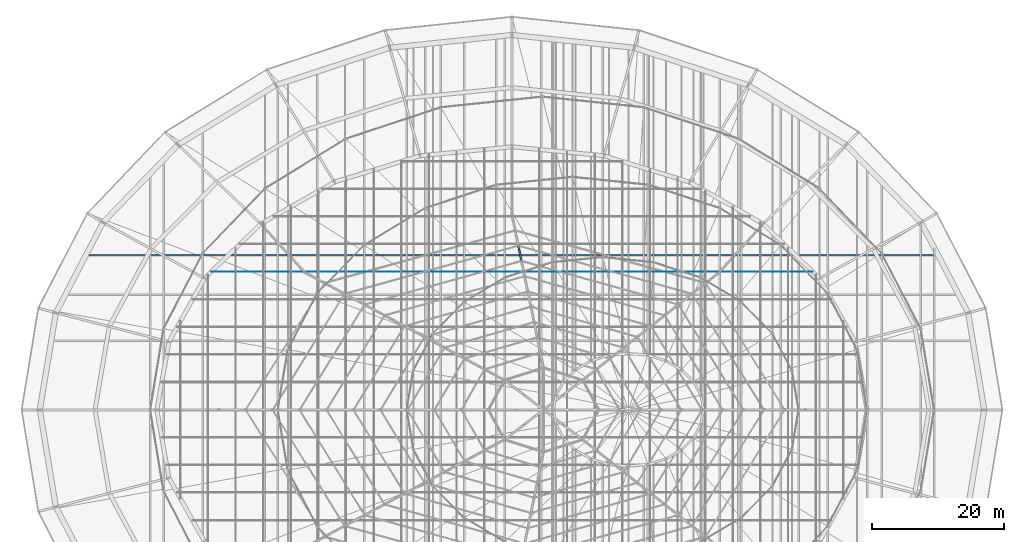
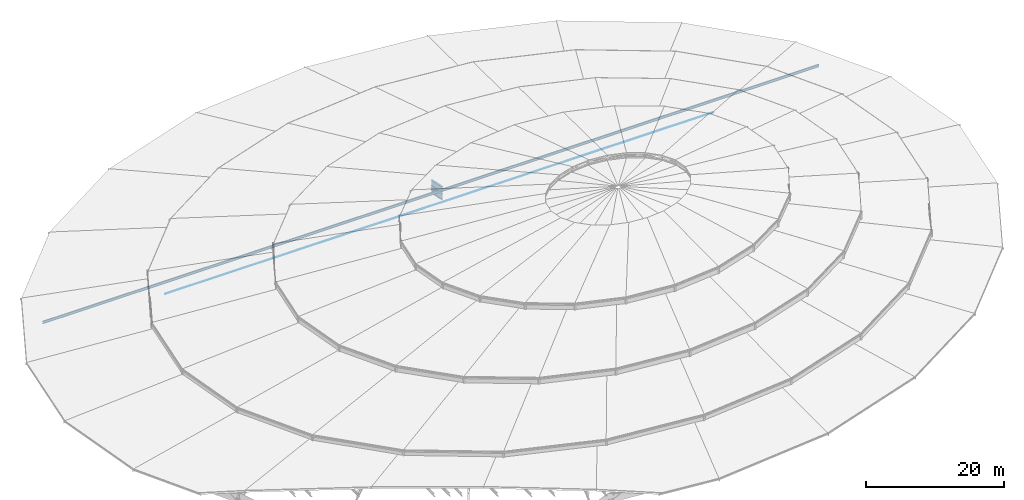
# One storey, part 111 of 184: 3 members, 2 beams.
"""IFC4 building model written with IfcOpenShell, lengths in metres."""

from ifc_helpers import new_model, si_unit, direction, frame, origin, origin_2d, place, context, subcontext, project, spatial, hollow_rectangle, circle, i_section, extrude, material, material_profile, profile_set, type_object, element, save


model = new_model("IFC4")

# Units and contexts
model_context = context("Model", 3, precision=1e-05, world=origin(), true_north=direction((0.0, 1.0)))
body_context = subcontext(model_context, "Body", "Model", "MODEL_VIEW")
ifc_project = project(units=[si_unit("LENGTHUNIT", "METRE"), si_unit("AREAUNIT", "SQUARE_METRE"), si_unit("VOLUMEUNIT", "CUBIC_METRE"), si_unit("PLANEANGLEUNIT", "RADIAN"), si_unit("MASSUNIT", "GRAM", prefix="KILO")], contexts=[model_context])

# Site, building, storey
site_placement = place(None, origin())
site = spatial("IfcSite", under=ifc_project, at=site_placement, CompositionType="ELEMENT")
building_placement = place(site_placement, origin())
building = spatial("IfcBuilding", under=site, at=building_placement, Name="Kalgoora Escarpment Arena", CompositionType="ELEMENT")
storey_placement = place(building_placement, frame((0.0, 0.0, 27.60009765625)))
storey = spatial("IfcBuildingStorey", under=building, at=storey_placement, Name="Roof Level", CompositionType="ELEMENT", Elevation=27.60009765625)

# Beams
ifc_material_1 = material(Name="Structural steel Grade 350 (350 MPa)", Category="steel")
ifc_material_profile_1 = material_profile(ifc_material_1, i_section(OverallWidth=0.300048828125, OverallDepth=1.010009765625, WebThickness=0.01611328125, FlangeThickness=0.030029296875, at=origin_2d()))
ifc_profile_set_1 = profile_set([ifc_material_profile_1], Name="Structural steel Grade 350 (350 MPa)")
beam_type = type_object("IfcBeamType", Name="BM-TRUSS-CHORD", PredefinedType="USERDEFINED", material=ifc_profile_set_1)
for number, where, z_axis, x_axis, name in (
    (1, (93.357666015625, 88.9716796875, -1.64013671875), (0.202507307037, -0.979278408187, 0.002142394684), (0.979280655568, 0.202507771779, 0.0), "Radial ROOF TRUSS spine 3 bottom chord 4"),
    (2, (93.357666015625, 88.9716796875, -0.330078125), (0.202506000299, -0.979272089104, 0.004182743583), (0.979280655568, 0.202507771779, 0.0), "Radial ROOF TRUSS spine 3 top chord 4"),
):
    element("IfcBeam", number, at=place(storey_placement, frame(where, z_axis=z_axis, x_axis=x_axis)), inside=storey, type_object=beam_type, Name=name, ObjectType="GIRDER", PredefinedType="USERDEFINED", context=body_context, shape_type="SweptSolid", body=[
        extrude(i_section(OverallWidth=0.300048828125, OverallDepth=1.010009765625, WebThickness=0.01611328125, FlangeThickness=0.030029296875, at=origin_2d()), origin(), (0.0, 0.0, 1.0), 2.39306640625),
    ])

# Members
ifc_material_2 = material(Name="High-tensile spiral strand steel Grade 450 (350 MPa)", Category="steel")
ifc_material_profile_2 = material_profile(ifc_material_2, circle(Radius=0.035888671875, at=origin_2d()))
ifc_profile_set_2 = profile_set([ifc_material_profile_2], Name="High-tensile spiral strand steel Grade 450 (350 MPa)")
member_type_1 = type_object("IfcMemberType", Name="MEM-CABLE-72", PredefinedType="USERDEFINED", material=ifc_profile_set_2)
member_1_placement = place(storey_placement, frame((46.67041015625, 85.0, -1.25), z_axis=(1.0, 0.0, 0.0), x_axis=(0.0, 1.0, 0.0)))
element("IfcMember", 3, at=member_1_placement, inside=storey, type_object=member_type_1, Name="Roof saddle hanging cable X-14", ObjectType="CABLE", PredefinedType="USERDEFINED", context=body_context, shape_type="SweptSolid", body=[
    extrude(circle(Radius=0.035888671875, at=origin_2d()), origin(), (0.0, 0.0, 1.0), 91.458984375),
])
ifc_material_3 = material(Name="Structural steel AS/NZS 3679 (300 MPa)", Category="steel")
ifc_material_profile_3 = material_profile(ifc_material_3, i_section(OverallWidth=0.19091796875, OverallDepth=0.4599609375, WebThickness=0.010009765625, FlangeThickness=0.01611328125, at=origin_2d()))
ifc_profile_set_3 = profile_set([ifc_material_profile_3], Name="Structural steel AS/NZS 3679 (300 MPa)")
member_type_2 = type_object("IfcMemberType", Name="MEM-CARRIER-CHORD", PredefinedType="CHORD", material=ifc_profile_set_3)
member_2_placement = place(storey_placement, frame((27.610595703125, 87.5, -1.16015625), z_axis=(1.0, 0.0, 0.0), x_axis=(0.0, 1.0, 0.0)))
element("IfcMember", 4, at=member_2_placement, inside=storey, type_object=member_type_2, Name="Roof east-west truss tie carrier chord C03", PredefinedType="CHORD", context=body_context, shape_type="SweptSolid", body=[
    extrude(i_section(OverallWidth=0.19091796875, OverallDepth=0.4599609375, WebThickness=0.010009765625, FlangeThickness=0.01611328125, at=origin_2d()), origin(), (0.0, 0.0, 1.0), 129.578857421875),
])
ifc_material_4 = material(Name="Structural steel C350 (350 MPa)", Category="steel")
ifc_material_profile_4 = material_profile(ifc_material_4, hollow_rectangle(XDim=0.199951171875, YDim=0.199951171875, WallThickness=0.009033203125, at=origin_2d()))
ifc_profile_set_4 = profile_set([ifc_material_profile_4], Name="Structural steel C350 (350 MPa)")
member_type_3 = type_object("IfcMemberType", Name="MEM-TRUSS-DIAG", PredefinedType="BRACE", material=ifc_profile_set_4)
member_3_placement = place(storey_placement, frame((93.360107421875, 88.9599609375, -1.64013671875), z_axis=(0.176975107079, -0.855439696118, 0.486726553395), x_axis=(0.236102872587, -0.443192661135, -0.864774941053)))
element("IfcMember", 5, at=member_3_placement, inside=storey, type_object=member_type_3, Name="Radial ROOF TRUSS spine 3 web diagonal 4", PredefinedType="BRACE", context=body_context, shape_type="SweptSolid", body=[
    extrude(hollow_rectangle(XDim=0.199951171875, YDim=0.199951171875, WallThickness=0.009033203125, at=origin_2d()), origin(), (0.0, 0.0, 1.0), 2.712158203125),
])

save(model, "model.ifc")
